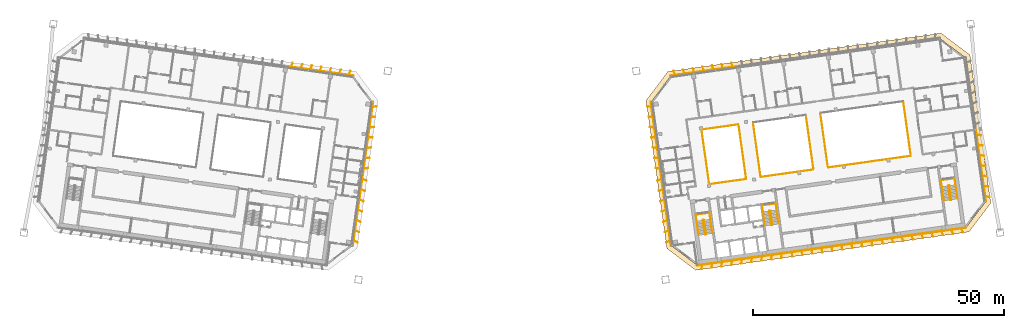
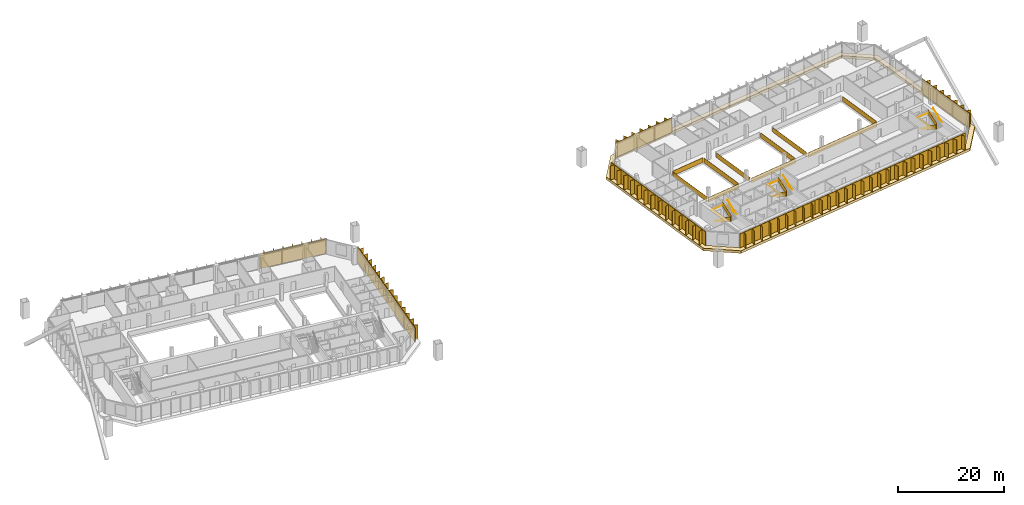
# One storey, part 27 of 28: 16 railings, 10 shading devices, 1 covering.
"""IFC4 building model written with IfcOpenShell, lengths in metres."""

from ifc_helpers import new_model, si_unit, direction, frame, origin, origin_2d, place, context, subcontext, project, spatial, polyline, rectangle, outline, extrude, material, layer, layer_set, type_object, element, save


model = new_model("IFC4")

# Units and contexts
model_context = context("Model", 3, precision=1e-05, world=origin(), true_north=direction((0.0, 1.0)))
body_context = subcontext(model_context, "Body", "Model", "MODEL_VIEW")
ifc_project = project(units=[si_unit("LENGTHUNIT", "METRE"), si_unit("AREAUNIT", "SQUARE_METRE"), si_unit("VOLUMEUNIT", "CUBIC_METRE"), si_unit("PLANEANGLEUNIT", "RADIAN"), si_unit("MASSUNIT", "GRAM", prefix="KILO")], contexts=[model_context])

# Site, building, storey
site_placement = place(None, origin())
site = spatial("IfcSite", under=ifc_project, at=site_placement, CompositionType="ELEMENT")
building_placement = place(site_placement, origin())
building = spatial("IfcBuilding", under=site, at=building_placement, Name="Mirante Cascada Hotel Towers", CompositionType="ELEMENT")
storey_placement = place(building_placement, frame((0.0, 0.0, 165.0)))
storey = spatial("IfcBuildingStorey", under=building, at=storey_placement, Name="L38", CompositionType="ELEMENT", Elevation=165.0)

# Railings
ifc_material_1 = material(Name="Toughened glass with stainless steel handrail", Category="steel")
railing_type_1 = type_object("IfcRailingType", Name="Atrium guard 1100 glass balustrade", PredefinedType="GUARDRAIL", material=ifc_material_1)
railing_1_placement = place(storey_placement, frame((39.3856, -4.1144, 0.0)))
element("IfcRailing", 1, at=railing_1_placement, inside=storey, type_object=railing_type_1, Name="GUARD 2-L38-1", PredefinedType="GUARDRAIL", context=body_context, shape_type="SweptSolid", body=[
    extrude(rectangle(XDim=0.048, YDim=0.048, at=origin_2d()), frame((0.0, 0.0, 1.076), z_axis=(0.9902668, 0.1391823, 0.0), x_axis=(-0.1391823, 0.9902668, 0.0)), (0.0, 0.0, 1.0), 7.3479),
    extrude(rectangle(XDim=0.02, YDim=1.052, at=origin_2d()), frame((0.0, 0.0, 0.526), z_axis=(0.9902668, 0.1391823, 0.0), x_axis=(-0.1391823, 0.9902668, 0.0)), (0.0, 0.0, 1.0), 7.3479),
])
railing_2_placement = place(storey_placement, frame((45.1311, 7.8012, 0.0)))
element("IfcRailing", 2, at=railing_2_placement, inside=storey, type_object=railing_type_1, Name="GUARD 2-L38-2", PredefinedType="GUARDRAIL", context=body_context, shape_type="SweptSolid", body=[
    extrude(rectangle(XDim=0.048, YDim=0.048, at=origin_2d()), frame((0.0, 0.0, 1.076), z_axis=(-0.9902687, -0.1391689, 0.0), x_axis=(0.1391689, -0.9902687, 0.0)), (0.0, 0.0, 1.0), 7.3479),
    extrude(rectangle(XDim=0.02, YDim=1.052, at=origin_2d()), frame((0.0, 0.0, 0.526), z_axis=(-0.9902687, -0.1391689, 0.0), x_axis=(0.1391689, -0.9902687, 0.0)), (0.0, 0.0, 1.0), 7.3479),
])
railing_3_placement = place(storey_placement, frame((49.6328, -2.6742, 0.0)))
element("IfcRailing", 3, at=railing_3_placement, inside=storey, type_object=railing_type_1, Name="GUARD 2-L38-3", PredefinedType="GUARDRAIL", context=body_context, shape_type="SweptSolid", body=[
    extrude(rectangle(XDim=0.048, YDim=0.048, at=origin_2d()), frame((0.0, 0.0, 1.076), z_axis=(0.9902677, 0.1391758, 0.0), x_axis=(-0.1391758, 0.9902677, 0.0)), (0.0, 0.0, 1.0), 10.5507),
    extrude(rectangle(XDim=0.02, YDim=1.052, at=origin_2d()), frame((0.0, 0.0, 0.526), z_axis=(0.9902677, 0.1391758, 0.0), x_axis=(-0.1391758, 0.9902677, 0.0)), (0.0, 0.0, 1.0), 10.5507),
])
railing_4_placement = place(storey_placement, frame((63.0516, -0.7883, 0.0)))
element("IfcRailing", 4, at=railing_4_placement, inside=storey, type_object=railing_type_1, Name="GUARD 2-L38-5", PredefinedType="GUARDRAIL", context=body_context, shape_type="SweptSolid", body=[
    extrude(rectangle(XDim=0.048, YDim=0.048, at=origin_2d()), frame((0.0, 0.0, 1.076), z_axis=(0.9902679, 0.1391744, 0.0), x_axis=(-0.1391744, 0.9902679, 0.0)), (0.0, 0.0, 1.0), 16.6015),
    extrude(rectangle(XDim=0.02, YDim=1.052, at=origin_2d()), frame((0.0, 0.0, 0.526), z_axis=(0.9902679, 0.1391744, 0.0), x_axis=(-0.1391744, 0.9902679, 0.0)), (0.0, 0.0, 1.0), 16.6015),
    extrude(rectangle(XDim=0.048, YDim=0.048, at=origin_2d()), frame((16.4399, 2.3105, 1.076), z_axis=(-0.9903011, -0.1389378, 0.0), x_axis=(0.1389378, -0.9903011, 0.0)), (0.0, 0.0, 1.0), 0.0338),
    extrude(rectangle(XDim=0.02, YDim=1.052, at=origin_2d()), frame((16.4399, 2.3105, 0.526), z_axis=(-0.9903011, -0.1389378, 0.0), x_axis=(0.1389378, -0.9903011, 0.0)), (0.0, 0.0, 1.0), 0.0338),
])
railing_5_placement = place(storey_placement, frame((37.8463, 6.479, 0.0)))
element("IfcRailing", 5, at=railing_5_placement, inside=storey, type_object=railing_type_1, Name="GUARD 2-L38-7", PredefinedType="GUARDRAIL", context=body_context, shape_type="SweptSolid", body=[
    extrude(rectangle(XDim=0.048, YDim=0.048, at=origin_2d()), frame((0.0, 0.0, 1.076), z_axis=(0.1391776, -0.9902674, 0.0), x_axis=(0.9902674, 0.1391776, 0.0)), (0.0, 0.0, 1.0), 10.409),
    extrude(rectangle(XDim=0.02, YDim=1.052, at=origin_2d()), frame((0.0, 0.0, 0.526), z_axis=(0.1391776, -0.9902674, 0.0), x_axis=(0.9902674, 0.1391776, 0.0)), (0.0, 0.0, 1.0), 10.409),
])
railing_6_placement = place(storey_placement, frame((46.6694, -2.7921, 0.0)))
element("IfcRailing", 6, at=railing_6_placement, inside=storey, type_object=railing_type_1, Name="GUARD 2-L38-8", PredefinedType="GUARDRAIL", context=body_context, shape_type="SweptSolid", body=[
    extrude(rectangle(XDim=0.048, YDim=0.048, at=origin_2d()), frame((0.0, 0.0, 1.076), z_axis=(-0.1391721, 0.9902682, 0.0), x_axis=(-0.9902682, -0.1391721, 0.0)), (0.0, 0.0, 1.0), 10.4087),
    extrude(rectangle(XDim=0.02, YDim=1.052, at=origin_2d()), frame((0.0, 0.0, 0.526), z_axis=(-0.1391721, 0.9902682, 0.0), x_axis=(-0.9902682, -0.1391721, 0.0)), (0.0, 0.0, 1.0), 10.4087),
])
railing_7_placement = place(storey_placement, frame((48.0945, 7.9191, 0.0)))
element("IfcRailing", 7, at=railing_7_placement, inside=storey, type_object=railing_type_1, Name="GUARD 2-L38-9", PredefinedType="GUARDRAIL", context=body_context, shape_type="SweptSolid", body=[
    extrude(rectangle(XDim=0.048, YDim=0.048, at=origin_2d()), frame((0.0, 0.0, 1.076), z_axis=(0.1391734, -0.990268, 0.0), x_axis=(0.990268, 0.1391734, 0.0)), (0.0, 0.0, 1.0), 10.4086),
    extrude(rectangle(XDim=0.02, YDim=1.052, at=origin_2d()), frame((0.0, 0.0, 0.526), z_axis=(0.1391734, -0.990268, 0.0), x_axis=(0.990268, 0.1391734, 0.0)), (0.0, 0.0, 1.0), 10.4086),
])
railing_8_placement = place(storey_placement, frame((60.0882, -0.9062, 0.0)))
element("IfcRailing", 8, at=railing_8_placement, inside=storey, type_object=railing_type_1, Name="GUARD 2-L38-10", PredefinedType="GUARDRAIL", context=body_context, shape_type="SweptSolid", body=[
    extrude(rectangle(XDim=0.048, YDim=0.048, at=origin_2d()), frame((0.0, 0.0, 1.076), z_axis=(-0.1391721, 0.9902682, 0.0), x_axis=(-0.9902682, -0.1391721, 0.0)), (0.0, 0.0, 1.0), 10.4087),
    extrude(rectangle(XDim=0.02, YDim=1.052, at=origin_2d()), frame((0.0, 0.0, 0.526), z_axis=(-0.1391721, 0.9902682, 0.0), x_axis=(-0.9902682, -0.1391721, 0.0)), (0.0, 0.0, 1.0), 10.4087),
])
railing_9_placement = place(storey_placement, frame((61.5133, 9.805, 0.0)))
element("IfcRailing", 9, at=railing_9_placement, inside=storey, type_object=railing_type_1, Name="GUARD 2-L38-11", PredefinedType="GUARDRAIL", context=body_context, shape_type="SweptSolid", body=[
    extrude(rectangle(XDim=0.048, YDim=0.048, at=origin_2d()), frame((0.0, 0.0, 1.076), z_axis=(0.1391721, -0.9902682, 0.0), x_axis=(0.9902682, 0.1391721, 0.0)), (0.0, 0.0, 1.0), 10.4087),
    extrude(rectangle(XDim=0.02, YDim=1.052, at=origin_2d()), frame((0.0, 0.0, 0.526), z_axis=(0.1391721, -0.9902682, 0.0), x_axis=(0.9902682, 0.1391721, 0.0)), (0.0, 0.0, 1.0), 10.4087),
])
railing_10_placement = place(storey_placement, frame((79.4999, 1.8217, 0.0)))
element("IfcRailing", 10, at=railing_10_placement, inside=storey, type_object=railing_type_1, Name="GUARD 2-L38-12", PredefinedType="GUARDRAIL", context=body_context, shape_type="SweptSolid", body=[
    extrude(rectangle(XDim=0.048, YDim=0.048, at=origin_2d()), frame((0.0, 0.0, 1.076), z_axis=(-0.1391762, 0.9902676, 0.0), x_axis=(-0.9902676, -0.1391762, 0.0)), (0.0, 0.0, 1.0), 10.4091),
    extrude(rectangle(XDim=0.02, YDim=1.052, at=origin_2d()), frame((0.0, 0.0, 0.526), z_axis=(-0.1391762, 0.9902676, 0.0), x_axis=(-0.9902676, -0.1391762, 0.0)), (0.0, 0.0, 1.0), 10.4091),
])

# Covering
ifc_material_2 = material(Name="Precast concrete C40/50 white", Category="concrete")
ifc_layer = layer(ifc_material_2, 0.6)
ifc_layer_set = layer_set([ifc_layer], Name="Precast concrete SUNSHADE band 1000x600")
covering_type = type_object("IfcCoveringType", Name="Precast concrete SUNSHADE band 1000x600", PredefinedType="CLADDING", material=ifc_layer_set)
covering_placement = place(storey_placement, frame((0.0, 0.0, -0.45)))
element("IfcCovering", 11, at=covering_placement, inside=storey, type_object=covering_type, Name="Precast concrete SUNSHADE band T2 L38", PredefinedType="CLADDING", context=body_context, shape_type="SweptSolid", body=[
    extrude(outline(polyline([(26.7332, 12.6017), (31.0617, 18.3458), (85.5574, 26.0046), (91.3015, 21.6761), (95.4528, -7.862), (91.1243, -13.6061), (36.6286, -21.265), (30.8845, -16.9365), (26.7332, 12.6017)]), holes=[polyline([(94.4049, -7.591), (90.3689, 21.1268), (85.2864, 24.9567), (31.6111, 17.4131), (27.7811, 12.3307), (31.8171, -16.3871), (36.8996, -20.217), (90.575, -12.6735), (94.4049, -7.591)])]), origin(), (0.0, 0.0, 1.0), 0.6),
])

# Railings
ifc_material_3 = material(Name="Painted steel", Category="steel")
railing_type_2 = type_object("IfcRailingType", Name="Stair guard 1100 steel balustrade", PredefinedType="GUARDRAIL", material=ifc_material_3)
railing_11_placement = place(storey_placement, frame((38.2663, -11.2395, 0.0)))
element("IfcRailing", 12, at=railing_11_placement, inside=storey, type_object=railing_type_2, Name="L38 ST2-A stair guard 1", PredefinedType="GUARDRAIL", context=body_context, shape_type="SweptSolid", body=[
    extrude(rectangle(XDim=0.048, YDim=0.048, at=origin_2d()), frame((0.0, 0.0, 1.076), z_axis=(-0.9903326, -0.1387133, 0.0), x_axis=(0.1387133, -0.9903326, 0.0)), (0.0, 0.0, 1.0), 0.1499),
    extrude(rectangle(XDim=0.02, YDim=1.052, at=origin_2d()), frame((0.0, 0.0, 0.526), z_axis=(-0.9903326, -0.1387133, 0.0), x_axis=(0.1387133, -0.9903326, 0.0)), (0.0, 0.0, 1.0), 0.1499),
    extrude(rectangle(XDim=0.048, YDim=0.048, at=origin_2d()), frame((-0.1485, -0.0208, 1.076), z_axis=(-0.6020331, -0.7984711, 0.0), x_axis=(0.7984711, -0.6020331, 0.0)), (0.0, 0.9253398, 0.3791387), 0.1866),
    extrude(rectangle(XDim=0.02, YDim=1.052, at=origin_2d()), frame((-0.1485, -0.0208, 0.526), z_axis=(-0.6020331, -0.7984711, 0.0), x_axis=(0.7984711, -0.6020331, 0.0)), (0.0, 0.9253398, 0.3791387), 0.1866),
    extrude(rectangle(XDim=0.048, YDim=0.048, at=origin_2d()), frame((-0.1911, -0.0773, 1.2487), z_axis=(0.139176, -0.9902677, 0.0), x_axis=(0.9902677, 0.139176, 0.0)), (0.0, 0.5250212, 0.8510891), 3.29),
    extrude(rectangle(XDim=0.02, YDim=1.052, at=origin_2d()), frame((-0.1911, -0.0773, 0.6987), z_axis=(0.139176, -0.9902677, 0.0), x_axis=(0.9902677, 0.139176, 0.0)), (0.0, 0.5250212, 0.8510891), 3.29),
    extrude(rectangle(XDim=0.048, YDim=0.048, at=origin_2d()), frame((0.1986, -2.8501, 2.976), z_axis=(0.9944948, -0.1047858, 0.0), x_axis=(0.1047858, 0.9944948, 0.0)), (0.0, 0.0, 1.0), 0.2061),
    extrude(rectangle(XDim=0.02, YDim=1.052, at=origin_2d()), frame((0.1986, -2.8501, 2.426), z_axis=(0.9944948, -0.1047858, 0.0), x_axis=(0.1047858, 0.9944948, 0.0)), (0.0, 0.0, 1.0), 0.2061),
    extrude(rectangle(XDim=0.048, YDim=0.048, at=origin_2d()), frame((0.4036, -2.8717, 2.976), z_axis=(-0.9902408, -0.1393672, 0.0), x_axis=(0.1393672, -0.9902408, 0.0)), (0.0, 0.0, 1.0), 0.15),
    extrude(rectangle(XDim=0.02, YDim=1.052, at=origin_2d()), frame((0.4036, -2.8717, 2.426), z_axis=(-0.9902408, -0.1393672, 0.0), x_axis=(0.1393672, -0.9902408, 0.0)), (0.0, 0.0, 1.0), 0.15),
    extrude(rectangle(XDim=0.048, YDim=0.048, at=origin_2d()), frame((0.2551, -2.8926, 2.976), z_axis=(0.9270311, 0.3749843, 0.0), x_axis=(-0.3749843, 0.9270311, 0.0)), (0.0, 0.6421903, 0.7665452), 0.2689),
    extrude(rectangle(XDim=0.02, YDim=1.052, at=origin_2d()), frame((0.2551, -2.8926, 2.426), z_axis=(0.9270311, 0.3749843, 0.0), x_axis=(-0.3749843, 0.9270311, 0.0)), (0.0, 0.6421903, 0.7665452), 0.2689),
    extrude(rectangle(XDim=0.048, YDim=0.048, at=origin_2d()), frame((0.4462, -2.8153, 3.1487), z_axis=(-0.139176, 0.9902677, 0.0), x_axis=(-0.9902677, -0.139176, 0.0)), (0.0, 0.5250212, 0.8510891), 3.29),
    extrude(rectangle(XDim=0.02, YDim=1.052, at=origin_2d()), frame((0.4462, -2.8153, 2.5987), z_axis=(-0.139176, 0.9902677, 0.0), x_axis=(-0.9902677, -0.139176, 0.0)), (0.0, 0.5250212, 0.8510891), 3.29),
])
railing_12_placement = place(storey_placement, frame((51.4864, -9.3815, 0.0)))
element("IfcRailing", 13, at=railing_12_placement, inside=storey, type_object=railing_type_2, Name="L38 ST2-B stair guard 1", PredefinedType="GUARDRAIL", context=body_context, shape_type="SweptSolid", body=[
    extrude(rectangle(XDim=0.048, YDim=0.048, at=origin_2d()), frame((0.0, 0.0, 1.076), z_axis=(-0.9902408, -0.1393672, 0.0), x_axis=(0.1393672, -0.9902408, 0.0)), (0.0, 0.0, 1.0), 0.15),
    extrude(rectangle(XDim=0.02, YDim=1.052, at=origin_2d()), frame((0.0, 0.0, 0.526), z_axis=(-0.9902408, -0.1393672, 0.0), x_axis=(0.1393672, -0.9902408, 0.0)), (0.0, 0.0, 1.0), 0.15),
    extrude(rectangle(XDim=0.048, YDim=0.048, at=origin_2d()), frame((-0.1485, -0.0209, 1.076), z_axis=(-0.6020331, -0.7984711, 0.0), x_axis=(0.7984711, -0.6020331, 0.0)), (0.0, 0.9253398, 0.3791387), 0.1866),
    extrude(rectangle(XDim=0.02, YDim=1.052, at=origin_2d()), frame((-0.1485, -0.0209, 0.526), z_axis=(-0.6020331, -0.7984711, 0.0), x_axis=(0.7984711, -0.6020331, 0.0)), (0.0, 0.9253398, 0.3791387), 0.1866),
    extrude(rectangle(XDim=0.048, YDim=0.048, at=origin_2d()), frame((-0.1911, -0.0774, 1.2487), z_axis=(0.139181, -0.990267, 0.0), x_axis=(0.990267, 0.139181, 0.0)), (0.0, 0.5250347, 0.8510808), 3.2899),
    extrude(rectangle(XDim=0.02, YDim=1.052, at=origin_2d()), frame((-0.1911, -0.0774, 0.6987), z_axis=(0.139181, -0.990267, 0.0), x_axis=(0.990267, 0.139181, 0.0)), (0.0, 0.5250347, 0.8510808), 3.2899),
    extrude(rectangle(XDim=0.048, YDim=0.048, at=origin_2d()), frame((0.1986, -2.8501, 2.976), z_axis=(0.9944441, -0.1052656, 0.0), x_axis=(0.1052656, 0.9944441, 0.0)), (0.0, 0.0, 1.0), 0.2061),
    extrude(rectangle(XDim=0.02, YDim=1.052, at=origin_2d()), frame((0.1986, -2.8501, 2.426), z_axis=(0.9944441, -0.1052656, 0.0), x_axis=(0.1052656, 0.9944441, 0.0)), (0.0, 0.0, 1.0), 0.2061),
    extrude(rectangle(XDim=0.048, YDim=0.048, at=origin_2d()), frame((0.4036, -2.8718, 2.976), z_axis=(-0.9902408, -0.1393672, 0.0), x_axis=(0.1393672, -0.9902408, 0.0)), (0.0, 0.0, 1.0), 0.15),
    extrude(rectangle(XDim=0.02, YDim=1.052, at=origin_2d()), frame((0.4036, -2.8718, 2.426), z_axis=(-0.9902408, -0.1393672, 0.0), x_axis=(0.1393672, -0.9902408, 0.0)), (0.0, 0.0, 1.0), 0.15),
    extrude(rectangle(XDim=0.048, YDim=0.048, at=origin_2d()), frame((0.2551, -2.8927, 2.976), z_axis=(0.9268624, 0.3754011, 0.0), x_axis=(-0.3754011, 0.9268624, 0.0)), (0.0, 0.6421217, 0.7666028), 0.269),
    extrude(rectangle(XDim=0.02, YDim=1.052, at=origin_2d()), frame((0.2551, -2.8927, 2.426), z_axis=(0.9268624, 0.3754011, 0.0), x_axis=(-0.3754011, 0.9268624, 0.0)), (0.0, 0.6421217, 0.7666028), 0.269),
    extrude(rectangle(XDim=0.048, YDim=0.048, at=origin_2d()), frame((0.4462, -2.8153, 3.1487), z_axis=(-0.139181, 0.990267, 0.0), x_axis=(-0.990267, -0.139181, 0.0)), (0.0, 0.5250347, 0.8510808), 3.2899),
    extrude(rectangle(XDim=0.02, YDim=1.052, at=origin_2d()), frame((0.4462, -2.8153, 2.5987), z_axis=(-0.139181, 0.990267, 0.0), x_axis=(-0.990267, -0.139181, 0.0)), (0.0, 0.5250347, 0.8510808), 3.2899),
])
railing_13_placement = place(storey_placement, frame((87.1361, -4.3713, 0.0)))
element("IfcRailing", 14, at=railing_13_placement, inside=storey, type_object=railing_type_2, Name="L38 ST2-C stair guard 1", PredefinedType="GUARDRAIL", context=body_context, shape_type="SweptSolid", body=[
    extrude(rectangle(XDim=0.048, YDim=0.048, at=origin_2d()), frame((0.0, 0.0, 1.076), z_axis=(-0.9902537, -0.1392753, 0.0), x_axis=(0.1392753, -0.9902537, 0.0)), (0.0, 0.0, 1.0), 0.1501),
    extrude(rectangle(XDim=0.02, YDim=1.052, at=origin_2d()), frame((0.0, 0.0, 0.526), z_axis=(-0.9902537, -0.1392753, 0.0), x_axis=(0.1392753, -0.9902537, 0.0)), (0.0, 0.0, 1.0), 0.1501),
    extrude(rectangle(XDim=0.048, YDim=0.048, at=origin_2d()), frame((-0.1486, -0.0209, 1.076), z_axis=(-0.601811, -0.7986386, 0.0), x_axis=(0.7986386, -0.601811, 0.0)), (0.0, 0.925603, 0.3784959), 0.1866),
    extrude(rectangle(XDim=0.02, YDim=1.052, at=origin_2d()), frame((-0.1486, -0.0209, 0.526), z_axis=(-0.601811, -0.7986386, 0.0), x_axis=(0.7986386, -0.601811, 0.0)), (0.0, 0.925603, 0.3784959), 0.1866),
    extrude(rectangle(XDim=0.048, YDim=0.048, at=origin_2d()), frame((-0.1911, -0.0773, 1.2487), z_axis=(0.139176, -0.9902677, 0.0), x_axis=(0.9902677, 0.139176, 0.0)), (0.0, 0.5250212, 0.8510891), 3.29),
    extrude(rectangle(XDim=0.02, YDim=1.052, at=origin_2d()), frame((-0.1911, -0.0773, 0.6987), z_axis=(0.139176, -0.9902677, 0.0), x_axis=(0.9902677, 0.139176, 0.0)), (0.0, 0.5250212, 0.8510891), 3.29),
    extrude(rectangle(XDim=0.048, YDim=0.048, at=origin_2d()), frame((0.1986, -2.8501, 2.976), z_axis=(0.9944441, -0.1052656, 0.0), x_axis=(0.1052656, 0.9944441, 0.0)), (0.0, 0.0, 1.0), 0.2061),
    extrude(rectangle(XDim=0.02, YDim=1.052, at=origin_2d()), frame((0.1986, -2.8501, 2.426), z_axis=(0.9944441, -0.1052656, 0.0), x_axis=(0.1052656, 0.9944441, 0.0)), (0.0, 0.0, 1.0), 0.2061),
    extrude(rectangle(XDim=0.048, YDim=0.048, at=origin_2d()), frame((0.4036, -2.8718, 2.976), z_axis=(-0.9903454, -0.1386217, 0.0), x_axis=(0.1386217, -0.9903454, 0.0)), (0.0, 0.0, 1.0), 0.15),
    extrude(rectangle(XDim=0.02, YDim=1.052, at=origin_2d()), frame((0.4036, -2.8718, 2.426), z_axis=(-0.9903454, -0.1386217, 0.0), x_axis=(0.1386217, -0.9903454, 0.0)), (0.0, 0.0, 1.0), 0.15),
    extrude(rectangle(XDim=0.048, YDim=0.048, at=origin_2d()), frame((0.255, -2.8926, 2.976), z_axis=(0.9270311, 0.3749843, 0.0), x_axis=(-0.3749843, 0.9270311, 0.0)), (0.0, 0.6421903, 0.7665452), 0.2689),
    extrude(rectangle(XDim=0.02, YDim=1.052, at=origin_2d()), frame((0.255, -2.8926, 2.426), z_axis=(0.9270311, 0.3749843, 0.0), x_axis=(-0.3749843, 0.9270311, 0.0)), (0.0, 0.6421903, 0.7665452), 0.2689),
    extrude(rectangle(XDim=0.048, YDim=0.048, at=origin_2d()), frame((0.4461, -2.8153, 3.1487), z_axis=(-0.139176, 0.9902677, 0.0), x_axis=(-0.9902677, -0.139176, 0.0)), (0.0, 0.5250212, 0.8510891), 3.29),
    extrude(rectangle(XDim=0.02, YDim=1.052, at=origin_2d()), frame((0.4461, -2.8153, 2.5987), z_axis=(-0.139176, 0.9902677, 0.0), x_axis=(-0.9902677, -0.139176, 0.0)), (0.0, 0.5250212, 0.8510891), 3.29),
])
ifc_material_4 = material(Name="Painted steel", Category="steel")
railing_type_3 = type_object("IfcRailingType", Name="Stair handrail 900 steel tube", PredefinedType="HANDRAIL", material=ifc_material_4)
railing_14_placement = place(storey_placement, frame((36.8374, -11.4908, 0.1727)))
element("IfcRailing", 15, at=railing_14_placement, inside=storey, type_object=railing_type_3, Name="L38 ST2-A stair handrail 1", PredefinedType="HANDRAIL", context=body_context, shape_type="SweptSolid", body=[
    extrude(rectangle(XDim=0.048, YDim=0.048, at=origin_2d()), frame((0.0, 0.0, 0.876), z_axis=(0.139181, -0.990267, 0.0), x_axis=(0.990267, 0.139181, 0.0)), (0.0, 0.5250347, 0.8510808), 3.2899),
    extrude(rectangle(XDim=0.048, YDim=0.048, at=origin_2d()), frame((0.3897, -2.7727, 2.6033), z_axis=(-0.1391707, 0.9902684, 0.0), x_axis=(-0.9902684, -0.1391707, 0.0)), (0.0, 0.0420846, 0.999114), 4.1036),
    extrude(rectangle(XDim=0.048, YDim=0.048, at=origin_2d()), frame((-0.1809, 1.2874, 2.776), z_axis=(0.9902691, 0.1391657, 0.0), x_axis=(-0.1391657, 0.9902691, 0.0)), (0.0, 0.0, 1.0), 2.75),
    extrude(rectangle(XDim=0.048, YDim=0.048, at=origin_2d()), frame((2.5423, 1.6701, 2.776), z_axis=(0.1391707, -0.9902684, 0.0), x_axis=(0.9902684, 0.1391707, 0.0)), (0.0, 0.0, 1.0), 4.1),
    extrude(rectangle(XDim=0.048, YDim=0.048, at=origin_2d()), frame((3.1129, -2.39, 2.776), z_axis=(-0.139181, 0.990267, 0.0), x_axis=(-0.990267, -0.139181, 0.0)), (0.0, 0.5250347, 0.8510808), 3.2899),
])
railing_15_placement = place(storey_placement, frame((50.0575, -9.6328, 0.1727)))
element("IfcRailing", 16, at=railing_15_placement, inside=storey, type_object=railing_type_3, Name="L38 ST2-B stair handrail 1", PredefinedType="HANDRAIL", context=body_context, shape_type="SweptSolid", body=[
    extrude(rectangle(XDim=0.048, YDim=0.048, at=origin_2d()), frame((0.0, 0.0, 0.876), z_axis=(0.139176, -0.9902677, 0.0), x_axis=(0.9902677, 0.139176, 0.0)), (0.0, 0.5250212, 0.8510891), 3.29),
    extrude(rectangle(XDim=0.048, YDim=0.048, at=origin_2d()), frame((0.3897, -2.7728, 2.6033), z_axis=(-0.1391707, 0.9902684, 0.0), x_axis=(-0.9902684, -0.1391707, 0.0)), (0.0, 0.0420846, 0.999114), 4.1036),
    extrude(rectangle(XDim=0.048, YDim=0.048, at=origin_2d()), frame((-0.1809, 1.2873, 2.776), z_axis=(0.9902641, 0.1392013, 0.0), x_axis=(-0.1392013, 0.9902641, 0.0)), (0.0, 0.0, 1.0), 2.75),
    extrude(rectangle(XDim=0.048, YDim=0.048, at=origin_2d()), frame((2.5423, 1.6701, 2.776), z_axis=(0.1391707, -0.9902684, 0.0), x_axis=(0.9902684, 0.1391707, 0.0)), (0.0, 0.0, 1.0), 4.1),
    extrude(rectangle(XDim=0.048, YDim=0.048, at=origin_2d()), frame((3.1129, -2.39, 2.776), z_axis=(-0.139181, 0.990267, 0.0), x_axis=(-0.990267, -0.139181, 0.0)), (0.0, 0.5250347, 0.8510808), 3.2899),
])
railing_16_placement = place(storey_placement, frame((85.7071, -4.6226, 0.1727)))
element("IfcRailing", 17, at=railing_16_placement, inside=storey, type_object=railing_type_3, Name="L38 ST2-C stair handrail 1", PredefinedType="HANDRAIL", context=body_context, shape_type="SweptSolid", body=[
    extrude(rectangle(XDim=0.048, YDim=0.048, at=origin_2d()), frame((0.0, 0.0, 0.876), z_axis=(0.139181, -0.990267, 0.0), x_axis=(0.990267, 0.139181, 0.0)), (0.0, 0.5250347, 0.8510808), 3.2899),
    extrude(rectangle(XDim=0.048, YDim=0.048, at=origin_2d()), frame((0.3897, -2.7727, 2.6033), z_axis=(-0.1391707, 0.9902684, 0.0), x_axis=(-0.9902684, -0.1391707, 0.0)), (0.0, 0.0420846, 0.999114), 4.1036),
    extrude(rectangle(XDim=0.048, YDim=0.048, at=origin_2d()), frame((-0.1809, 1.2874, 2.776), z_axis=(0.9902691, 0.1391657, 0.0), x_axis=(-0.1391657, 0.9902691, 0.0)), (0.0, 0.0, 1.0), 2.75),
    extrude(rectangle(XDim=0.048, YDim=0.048, at=origin_2d()), frame((2.5423, 1.6701, 2.776), z_axis=(0.1391947, -0.990265, 0.0), x_axis=(0.990265, 0.1391947, 0.0)), (0.0, 0.0, 1.0), 4.1),
    extrude(rectangle(XDim=0.048, YDim=0.048, at=origin_2d()), frame((3.113, -2.39, 2.776), z_axis=(-0.139181, 0.990267, 0.0), x_axis=(-0.990267, -0.139181, 0.0)), (0.0, 0.5250347, 0.8510808), 3.2899),
])

# Shading devices
ifc_material_5 = material(Name="White precast concrete C50/60 fin", Category="concrete")
shading_device_type = type_object("IfcShadingDeviceType", Name="Vertical fin set 4500x900", PredefinedType="USERDEFINED", material=ifc_material_5)
shading_device_1_placement = place(storey_placement, origin())
element("IfcShadingDevice", 18, at=shading_device_1_placement, inside=storey, type_object=shading_device_type, Name="FIN T1 L38 front 4", ObjectType="FIN", PredefinedType="USERDEFINED", context=body_context, shape_type="SweptSolid", body=[
    extrude(outline(polyline([(-32.4944, 17.6888), (-31.5902, 17.5617), (-31.6111, 17.4131), (-45.0299, 19.299), (-45.009, 19.4476), (-44.0783, 19.3168), (-43.7426, 20.1074), (-43.669, 20.0762), (-43.9963, 19.3052), (-42.1613, 19.0474), (-41.8257, 19.838), (-41.752, 19.8068), (-42.0793, 19.0358), (-40.2443, 18.7779), (-39.9087, 19.5686), (-39.8351, 19.5374), (-40.1623, 18.7664), (-38.3273, 18.5085), (-37.9917, 19.2992), (-37.9181, 19.2679), (-38.2453, 18.497), (-36.4104, 18.2391), (-36.0747, 19.0298), (-36.0011, 18.9985), (-36.3283, 18.2276), (-34.4934, 17.9697), (-34.1578, 18.7604), (-34.0841, 18.7291), (-34.4114, 17.9582), (-32.5764, 17.7003), (-32.2408, 18.491), (-32.1671, 18.4597), (-32.4944, 17.6888)])), origin(), (0.0, 0.0, 1.0), 3.35),
])
shading_device_2_placement = place(storey_placement, origin())
element("IfcShadingDevice", 19, at=shading_device_2_placement, inside=storey, type_object=shading_device_type, Name="FIN T1 L38 inner 1", ObjectType="FIN", PredefinedType="USERDEFINED", context=body_context, shape_type="SweptSolid", body=[
    extrude(outline(polyline([(-29.5104, -1.0512), (-29.6506, -2.0491), (-29.7991, -2.0282), (-27.7811, 12.3307), (-27.6326, 12.3098), (-27.7691, 11.3384), (-26.9378, 11.4405), (-26.9281, 11.3611), (-27.7806, 11.2564), (-28.0574, 9.2872), (-27.2261, 9.3892), (-27.2164, 9.3098), (-28.0689, 9.2051), (-28.3457, 7.2359), (-27.5144, 7.338), (-27.5047, 7.2585), (-28.3572, 7.1539), (-28.634, 5.1846), (-27.8027, 5.2867), (-27.7929, 5.2073), (-28.6455, 5.1026), (-28.9223, 3.1333), (-28.091, 3.2354), (-28.0812, 3.156), (-28.9338, 3.0513), (-29.2105, 1.0821), (-28.3793, 1.1841), (-28.3695, 1.1047), (-29.2221, 1.0001), (-29.4988, -0.9692), (-28.6676, -0.8671), (-28.6578, -0.9465), (-29.5104, -1.0512)])), origin(), (0.0, 0.0, 1.0), 3.35),
])
shading_device_3_placement = place(storey_placement, origin())
element("IfcShadingDevice", 20, at=shading_device_3_placement, inside=storey, type_object=shading_device_type, Name="FIN T1 L38 inner 2", ObjectType="FIN", PredefinedType="USERDEFINED", context=body_context, shape_type="SweptSolid", body=[
    extrude(outline(polyline([(-31.5321, -15.4366), (-31.6686, -16.408), (-31.8171, -16.3871), (-29.7991, -2.0282), (-29.6506, -2.0491), (-29.7908, -3.047), (-29.0002, -3.3826), (-29.0314, -3.4563), (-29.8024, -3.129), (-30.0791, -5.0983), (-29.2885, -5.4339), (-29.3197, -5.5075), (-30.0907, -5.1803), (-30.3674, -7.1495), (-29.5767, -7.4852), (-29.608, -7.5588), (-30.3789, -7.2316), (-30.6557, -9.2008), (-29.865, -9.5364), (-29.8963, -9.6101), (-30.6672, -9.2828), (-30.944, -11.2521), (-30.1533, -11.5877), (-30.1846, -11.6613), (-30.9555, -11.3341), (-31.2323, -13.3033), (-30.4416, -13.639), (-30.4729, -13.7126), (-31.2438, -13.3854), (-31.5206, -15.3546), (-30.7299, -15.6902), (-30.7612, -15.7639), (-31.5321, -15.4366)])), origin(), (0.0, 0.0, 1.0), 3.35),
])
shading_device_4_placement = place(storey_placement, origin())
element("IfcShadingDevice", 21, at=shading_device_4_placement, inside=storey, type_object=shading_device_type, Name="FIN T2 L38 front 4", ObjectType="FIN", PredefinedType="USERDEFINED", context=body_context, shape_type="SweptSolid", body=[
    extrude(outline(polyline([(32.2408, 18.491), (32.5764, 17.7003), (34.4114, 17.9582), (34.0841, 18.7291), (34.1578, 18.7604), (34.4934, 17.9697), (36.3283, 18.2276), (36.0011, 18.9985), (36.0747, 19.0298), (36.4104, 18.2391), (38.2453, 18.497), (37.9181, 19.2679), (37.9917, 19.2992), (38.3273, 18.5085), (40.1623, 18.7664), (39.8351, 19.5374), (39.9087, 19.5686), (40.2443, 18.7779), (42.0793, 19.0358), (41.752, 19.8068), (41.8257, 19.838), (42.1613, 19.0474), (43.9963, 19.3052), (43.669, 20.0762), (43.7426, 20.1074), (44.0783, 19.3168), (45.009, 19.4476), (45.0299, 19.299), (31.6111, 17.4131), (31.5902, 17.5617), (32.4944, 17.6888), (32.1671, 18.4597), (32.2408, 18.491)])), origin(), (0.0, 0.0, 1.0), 3.35),
])
shading_device_5_placement = place(storey_placement, origin())
element("IfcShadingDevice", 22, at=shading_device_5_placement, inside=storey, type_object=shading_device_type, Name="FIN T2 L38 inner 1", ObjectType="FIN", PredefinedType="USERDEFINED", context=body_context, shape_type="SweptSolid", body=[
    extrude(outline(polyline([(28.6676, -0.8671), (29.4988, -0.9692), (29.2221, 1.0001), (28.3695, 1.1047), (28.3793, 1.1841), (29.2105, 1.0821), (28.9338, 3.0513), (28.0812, 3.156), (28.091, 3.2354), (28.9223, 3.1333), (28.6455, 5.1026), (27.7929, 5.2073), (27.8027, 5.2867), (28.634, 5.1846), (28.3572, 7.1539), (27.5047, 7.2585), (27.5144, 7.338), (28.3457, 7.2359), (28.0689, 9.2051), (27.2164, 9.3098), (27.2261, 9.3892), (28.0574, 9.2872), (27.7806, 11.2564), (26.9281, 11.3611), (26.9378, 11.4405), (27.7691, 11.3384), (27.6326, 12.3098), (27.7811, 12.3307), (29.7991, -2.0282), (29.6506, -2.0491), (29.5104, -1.0512), (28.6578, -0.9465), (28.6676, -0.8671)])), origin(), (0.0, 0.0, 1.0), 3.35),
])
shading_device_6_placement = place(storey_placement, origin())
element("IfcShadingDevice", 23, at=shading_device_6_placement, inside=storey, type_object=shading_device_type, Name="FIN T2 L38 inner 2", ObjectType="FIN", PredefinedType="USERDEFINED", context=body_context, shape_type="SweptSolid", body=[
    extrude(outline(polyline([(30.7299, -15.6902), (31.5206, -15.3546), (31.2438, -13.3854), (30.4729, -13.7126), (30.4416, -13.639), (31.2323, -13.3033), (30.9555, -11.3341), (30.1846, -11.6613), (30.1533, -11.5877), (30.944, -11.2521), (30.6672, -9.2828), (29.8963, -9.6101), (29.865, -9.5364), (30.6557, -9.2008), (30.3789, -7.2316), (29.608, -7.5588), (29.5767, -7.4852), (30.3674, -7.1495), (30.0907, -5.1803), (29.3197, -5.5075), (29.2885, -5.4339), (30.0791, -5.0983), (29.8024, -3.129), (29.0314, -3.4563), (29.0002, -3.3826), (29.7908, -3.047), (29.6506, -2.0491), (29.7991, -2.0282), (31.8171, -16.3871), (31.6686, -16.408), (31.5321, -15.4366), (30.7612, -15.7639), (30.7299, -15.6902)])), origin(), (0.0, 0.0, 1.0), 3.35),
])
shading_device_7_placement = place(storey_placement, origin())
element("IfcShadingDevice", 24, at=shading_device_7_placement, inside=storey, type_object=shading_device_type, Name="FIN T2 L38 outer 1", ObjectType="FIN", PredefinedType="USERDEFINED", context=body_context, shape_type="SweptSolid", body=[
    extrude(outline(polyline([(95.2482, -6.7008), (94.4169, -6.5987), (94.5534, -7.5701), (94.4049, -7.591), (92.3869, 6.7679), (92.5354, 6.7888), (92.6757, 5.7909), (93.5282, 5.6862), (93.5185, 5.6068), (92.6872, 5.7089), (92.964, 3.7396), (93.8165, 3.6349), (93.8068, 3.5555), (92.9755, 3.6576), (93.2522, 1.6883), (94.1048, 1.5837), (94.095, 1.5043), (93.2638, 1.6063), (93.5405, -0.3629), (94.3931, -0.4676), (94.3833, -0.547), (93.5521, -0.4449), (93.8288, -2.4142), (94.6814, -2.5189), (94.6716, -2.5983), (93.8403, -2.4962), (94.1171, -4.4655), (94.9697, -4.5701), (94.9599, -4.6495), (94.1286, -4.5475), (94.4054, -6.5167), (95.2579, -6.6214), (95.2482, -6.7008)])), origin(), (0.0, 0.0, 1.0), 3.35),
])
shading_device_8_placement = place(storey_placement, origin())
element("IfcShadingDevice", 25, at=shading_device_8_placement, inside=storey, type_object=shading_device_type, Name="FIN T2 L38 rear 1", ObjectType="FIN", PredefinedType="USERDEFINED", context=body_context, shape_type="SweptSolid", body=[
    extrude(outline(polyline([(37.7582, -21.0648), (37.8602, -20.2335), (36.9205, -20.3656), (36.8996, -20.217), (54.7914, -17.7025), (54.8123, -17.8511), (53.846, -17.9869), (53.7414, -18.8394), (53.662, -18.8297), (53.764, -17.9984), (51.8581, -18.2662), (51.7534, -19.1188), (51.674, -19.109), (51.7761, -18.2778), (49.8701, -18.5456), (49.7654, -19.3982), (49.686, -19.3884), (49.7881, -18.5572), (47.8821, -18.825), (47.7774, -19.6776), (47.698, -19.6678), (47.8001, -18.8366), (45.8941, -19.1044), (45.7895, -19.957), (45.7101, -19.9472), (45.8121, -19.1159), (43.9062, -19.3838), (43.8015, -20.2364), (43.7221, -20.2266), (43.8241, -19.3953), (41.9182, -19.6632), (41.8135, -20.5158), (41.7341, -20.506), (41.8362, -19.6747), (39.9302, -19.9426), (39.8255, -20.7951), (39.7461, -20.7854), (39.8482, -19.9541), (37.9422, -20.222), (37.8376, -21.0745), (37.7582, -21.0648)])), origin(), (0.0, 0.0, 1.0), 3.35),
])
shading_device_9_placement = place(storey_placement, origin())
element("IfcShadingDevice", 26, at=shading_device_9_placement, inside=storey, type_object=shading_device_type, Name="FIN T2 L38 rear 2", ObjectType="FIN", PredefinedType="USERDEFINED", context=body_context, shape_type="SweptSolid", body=[
    extrude(outline(polyline([(55.885, -18.5587), (55.7667, -17.7169), (54.8123, -17.8511), (54.7914, -17.7025), (72.6832, -15.188), (72.7041, -15.3365), (71.7497, -15.4707), (71.868, -16.3124), (71.7888, -16.3235), (71.6705, -15.4818), (69.7617, -15.7501), (69.88, -16.5918), (69.8008, -16.6029), (69.6825, -15.7612), (67.7737, -16.0294), (67.892, -16.8712), (67.8128, -16.8823), (67.6945, -16.0406), (65.7858, -16.3088), (65.9041, -17.1506), (65.8248, -17.1617), (65.7065, -16.32), (63.7978, -16.5882), (63.9161, -17.43), (63.8369, -17.4411), (63.7186, -16.5994), (61.8098, -16.8676), (61.9281, -17.7093), (61.8489, -17.7205), (61.7306, -16.8788), (59.8218, -17.147), (59.9401, -17.9887), (59.8609, -17.9999), (59.7426, -17.1581), (57.8339, -17.4264), (57.9522, -18.2681), (57.8729, -18.2793), (57.7546, -17.4375), (55.8459, -17.7058), (55.9642, -18.5475), (55.885, -18.5587)])), origin(), (0.0, 0.0, 1.0), 3.35),
])
shading_device_10_placement = place(storey_placement, origin())
element("IfcShadingDevice", 27, at=shading_device_10_placement, inside=storey, type_object=shading_device_type, Name="FIN T2 L38 rear 3", ObjectType="FIN", PredefinedType="USERDEFINED", context=body_context, shape_type="SweptSolid", body=[
    extrude(outline(polyline([(74.0059, -15.9914), (73.6703, -15.2007), (72.7041, -15.3365), (72.6832, -15.188), (90.575, -12.6735), (90.5958, -12.822), (89.6561, -12.9541), (89.9834, -13.725), (89.9097, -13.7563), (89.5741, -12.9656), (87.6682, -13.2335), (87.9954, -14.0044), (87.9218, -14.0357), (87.5861, -13.245), (85.6802, -13.5129), (86.0074, -14.2838), (85.9338, -14.3151), (85.5982, -13.5244), (83.6922, -13.7923), (84.0195, -14.5632), (83.9458, -14.5944), (83.6102, -13.8038), (81.7042, -14.0716), (82.0315, -14.8426), (81.9578, -14.8738), (81.6222, -14.0832), (79.7163, -14.351), (80.0435, -15.122), (79.9699, -15.1532), (79.6342, -14.3626), (77.7283, -14.6304), (78.0555, -15.4014), (77.9819, -15.4326), (77.6463, -14.642), (75.7403, -14.9098), (76.0676, -15.6808), (75.9939, -15.712), (75.6583, -14.9213), (73.7523, -15.1892), (74.0796, -15.9601), (74.0059, -15.9914)])), origin(), (0.0, 0.0, 1.0), 3.35),
])

save(model, "model.ifc")
